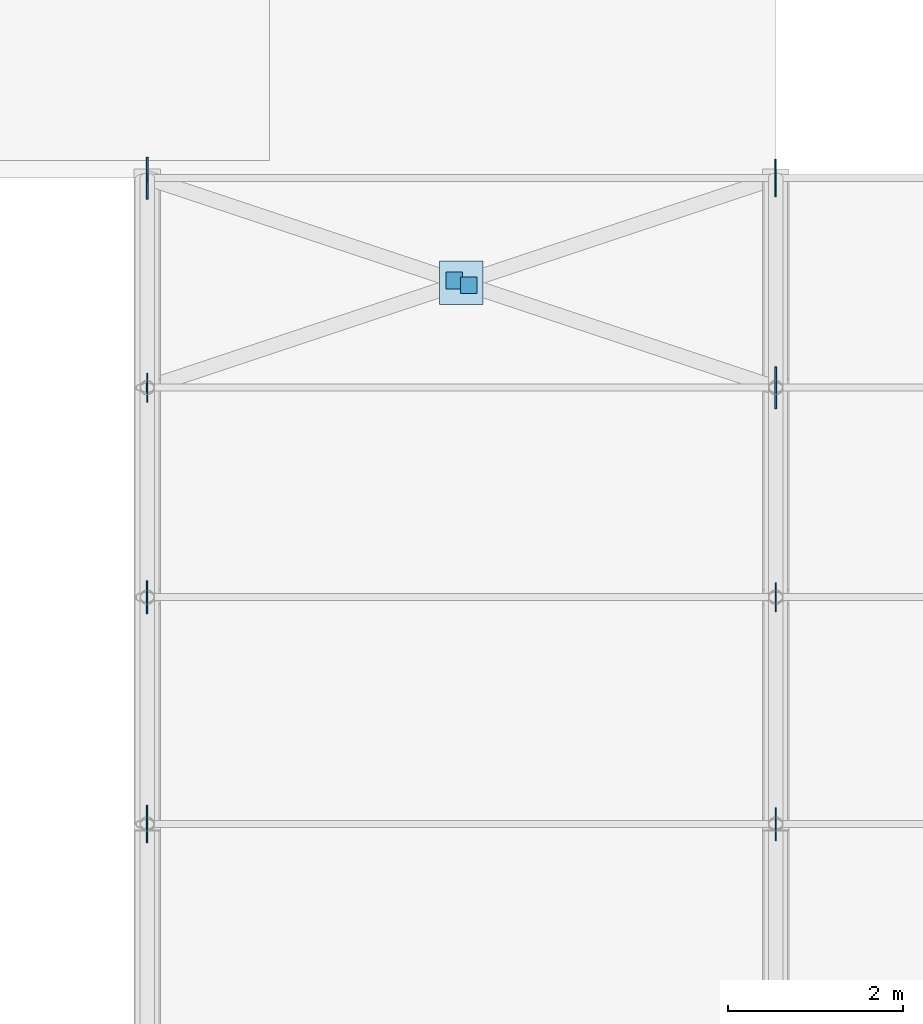
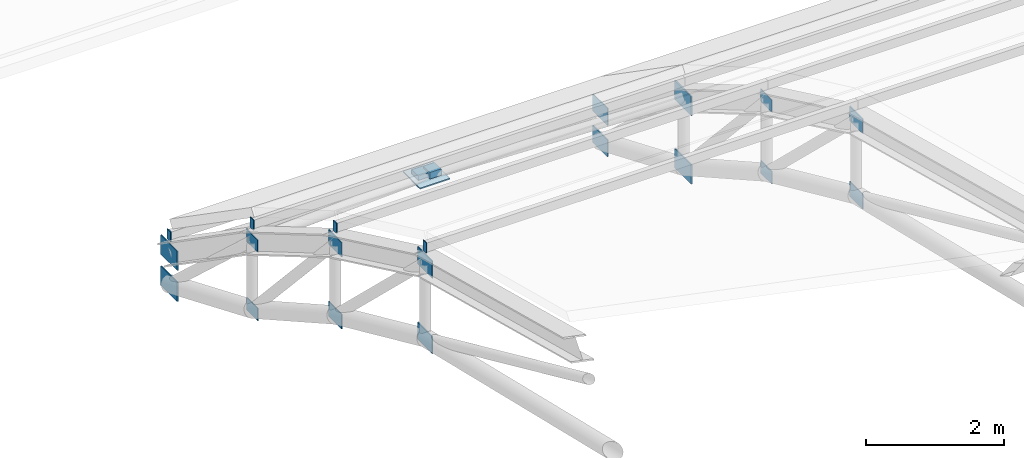
# One storey, part 54 of 63: 23 plates.
"""IFC4 building model written with IfcOpenShell, lengths in metres."""

from ifc_helpers import new_model, si_unit, direction, frame, origin, origin_2d, place, context, subcontext, project, spatial, rectangle, extrude, material, layer, layer_set, type_object, element, save


model = new_model("IFC4")

# Units and contexts
model_context = context("Model", 3, precision=1e-05, world=origin(), true_north=direction((0.0, 1.0)))
body_context = subcontext(model_context, "Body", "Model", "MODEL_VIEW")
ifc_project = project(units=[si_unit("LENGTHUNIT", "METRE"), si_unit("AREAUNIT", "SQUARE_METRE"), si_unit("VOLUMEUNIT", "CUBIC_METRE"), si_unit("PLANEANGLEUNIT", "RADIAN"), si_unit("MASSUNIT", "GRAM", prefix="KILO")], contexts=[model_context])

# Site, building, storey
site_placement = place(None, origin())
site = spatial("IfcSite", under=ifc_project, at=site_placement, CompositionType="ELEMENT")
building_placement = place(site_placement, origin())
building = spatial("IfcBuilding", under=site, at=building_placement, Name="Solvadek Multi-Sports Hall", CompositionType="ELEMENT")
storey_placement = place(building_placement, frame((0.0, 0.0, 19.199951171875)))
storey = spatial("IfcBuildingStorey", under=building, at=storey_placement, Name="RF", CompositionType="ELEMENT", Elevation=19.199951171875)

# Plates
ifc_material = material(Name="Steel E350 (350 MPa)", Category="steel")
ifc_layer_1 = layer(ifc_material, 0.01611328125, Name="Steel E350 (350 MPa)")
ifc_layer_set_1 = layer_set([ifc_layer_1], Name="Steel E350 (350 MPa)")
plate_type_1 = type_object("IfcPlateType", Name="STR-PLT-CAP16", PredefinedType="USERDEFINED", material=ifc_layer_set_1)
for number, where, z_axis, x_axis, name in (
    (1, (21.595947265625, 70.60009765625, 0.25634765625), (0.0, 0.0, 1.0), (1.0, 0.0, 0.0), "V4 Purlin End Cap Plate #36"),
    (2, (21.595947265625, 73.199951171875, -0.97216796875), (0.0, 0.0, 1.0), (1.0, 0.0, 0.0), "V4 Purlin End Cap Plate #37"),
    (3, (21.595947265625, 75.60009765625, -2.37109375), (0.0, 0.0, 1.0), (1.0, 0.0, 0.0), "V4 Purlin End Cap Plate #38"),
    (4, (21.595947265625, 78.0, -4.03662109375), (0.0, 0.0, 1.0), (1.0, 0.0, 0.0), "V4 Purlin End Cap Plate #39"),
):
    element("IfcPlate", number, at=place(storey_placement, frame(where, z_axis=z_axis, x_axis=x_axis)), inside=storey, type_object=plate_type_1, Name=name, ObjectType="BASE_PLATE", PredefinedType="USERDEFINED", context=body_context, shape_type="SweptSolid", body=[
        extrude(rectangle(XDim=0.01611328125, YDim=0.10009765625, at=origin_2d()), origin(), (0.0, 0.0, 1.0), 0.179931640625),
    ])
for number, where, z_axis, x_axis, name in (
    (5, (25.118408203125, 76.8271484375, -3.541015625), (0.0, 0.0, 1.0), (1.0, 0.0, 0.0), "V4 Half-Brace End Cap #42"),
    (6, (25.281494140625, 76.772705078125, -3.50341796875), (0.0, 0.0, 1.0), (1.0, 0.0, 0.0), "V4 Half-Brace End Cap #43"),
):
    element("IfcPlate", number, at=place(storey_placement, frame(where, z_axis=z_axis, x_axis=x_axis)), inside=storey, type_object=plate_type_1, Name=name, ObjectType="BASE_PLATE", PredefinedType="USERDEFINED", context=body_context, shape_type="SweptSolid", body=[
        extrude(rectangle(XDim=0.18994140625, YDim=0.18994140625, at=origin_2d()), origin(), (0.0, 0.0, 1.0), 0.2099609375),
    ])
ifc_layer_2 = layer(ifc_material, 0.02001953125, Name="Steel E350 (350 MPa)")
ifc_layer_set_2 = layer_set([ifc_layer_2], Name="Steel E350 (350 MPa)")
plate_type_2 = type_object("IfcPlateType", Name="STR-PLT-GP20", PredefinedType="USERDEFINED", material=ifc_layer_set_2)
plate_placement = place(storey_placement, frame((25.199951171875, 76.800048828125, -3.42724609375), z_axis=(0.0, 0.0, 1.0), x_axis=(1.0, 0.0, 0.0)))
element("IfcPlate", 7, at=plate_placement, inside=storey, type_object=plate_type_2, Name="V4 Roof X-Brace Crossing Gusset #260", ObjectType="GUSSET_PLATE", PredefinedType="USERDEFINED", context=body_context, shape_type="SweptSolid", body=[
    extrude(rectangle(XDim=0.5, YDim=0.5, at=origin_2d()), origin(), (0.0, 0.0, 1.0), 0.02001953125),
])
ifc_layer_3 = layer(ifc_material, 0.013916015625, Name="Steel E350 (350 MPa)")
ifc_layer_set_3 = layer_set([ifc_layer_3], Name="Steel E350 (350 MPa)")
plate_type_3 = type_object("IfcPlateType", Name="STR-PLT-GUS330", PredefinedType="USERDEFINED", material=ifc_layer_set_3)
for number, where, z_axis, x_axis, name in (
    (8, (21.60009765625, 75.60009765625, -2.6943359375), (0.0, 0.0, 1.0), (0.0, 1.0, 0.0), "V4 Truss Top Gusset Plate #165"),
    (9, (21.60009765625, 75.60009765625, -3.90283203125), (0.0, 0.0, 1.0), (0.0, 1.0, 0.0), "V4 Truss Bottom Gusset Plate #166"),
    (10, (28.800048828125, 73.199951171875, -1.28515625), (0.0, 0.0, 1.0), (0.0, 1.0, 0.0), "V4 Truss Top Gusset Plate #181"),
    (11, (28.800048828125, 73.199951171875, -2.5517578125), (0.0, 0.0, 1.0), (0.0, 1.0, 0.0), "V4 Truss Bottom Gusset Plate #182"),
):
    element("IfcPlate", number, at=place(storey_placement, frame(where, z_axis=z_axis, x_axis=x_axis)), inside=storey, type_object=plate_type_3, Name=name, ObjectType="GUSSET_PLATE", PredefinedType="USERDEFINED", context=body_context, shape_type="SweptSolid", body=[
        extrude(rectangle(XDim=0.330078125, YDim=0.013916015625, at=origin_2d()), origin(), (0.0, 0.0, 1.0), 0.219970703125),
    ])
ifc_layer_4 = layer(ifc_material, 0.01611328125, Name="Steel E350 (350 MPa)")
ifc_layer_set_4 = layer_set([ifc_layer_4], Name="Steel E350 (350 MPa)")
plate_type_4 = type_object("IfcPlateType", Name="STR-PLT-GUS380", PredefinedType="USERDEFINED", material=ifc_layer_set_4)
for number, where, z_axis, x_axis, name in (
    (12, (21.60009765625, 73.199951171875, -1.30517578125), (0.0, 0.0, 1.0), (0.0, 1.0, 0.0), "V4 Truss Top Gusset Plate #163"),
    (13, (21.60009765625, 73.199951171875, -2.57177734375), (0.0, 0.0, 1.0), (0.0, 1.0, 0.0), "V4 Truss Bottom Gusset Plate #164"),
    (14, (28.800048828125, 70.60009765625, -0.0673828125), (0.0, 0.0, 1.0), (0.0, 1.0, 0.0), "V4 Truss Top Gusset Plate #179"),
    (15, (28.800048828125, 70.60009765625, -1.39697265625), (0.0, 0.0, 1.0), (0.0, 1.0, 0.0), "V4 Truss Bottom Gusset Plate #180"),
):
    element("IfcPlate", number, at=place(storey_placement, frame(where, z_axis=z_axis, x_axis=x_axis)), inside=storey, type_object=plate_type_4, Name=name, ObjectType="GUSSET_PLATE", PredefinedType="USERDEFINED", context=body_context, shape_type="SweptSolid", body=[
        extrude(rectangle(XDim=0.3798828125, YDim=0.01611328125, at=origin_2d()), origin(), (0.0, 0.0, 1.0), 0.260009765625),
    ])
ifc_layer_5 = layer(ifc_material, 0.01806640625, Name="Steel E350 (350 MPa)")
ifc_layer_set_5 = layer_set([ifc_layer_5], Name="Steel E350 (350 MPa)")
plate_type_5 = type_object("IfcPlateType", Name="STR-PLT-GUS430", PredefinedType="USERDEFINED", material=ifc_layer_set_5)
for number, where, z_axis, x_axis, name in (
    (16, (21.60009765625, 70.60009765625, -0.08740234375), (0.0, 0.0, 1.0), (0.0, 1.0, 0.0), "V4 Truss Top Gusset Plate #161"),
    (17, (21.60009765625, 70.60009765625, -1.4169921875), (0.0, 0.0, 1.0), (0.0, 1.0, 0.0), "V4 Truss Bottom Gusset Plate #162"),
    (18, (28.800048828125, 78.0, -4.39990234375), (0.0, 0.0, 1.0), (0.0, 1.0, 0.0), "V4 Truss Top Gusset Plate #185"),
    (19, (28.800048828125, 78.0, -4.9501953125), (0.0, 0.0, 1.0), (0.0, 1.0, 0.0), "V4 Truss Bottom Gusset Plate #186"),
):
    element("IfcPlate", number, at=place(storey_placement, frame(where, z_axis=z_axis, x_axis=x_axis)), inside=storey, type_object=plate_type_5, Name=name, ObjectType="GUSSET_PLATE", PredefinedType="USERDEFINED", context=body_context, shape_type="SweptSolid", body=[
        extrude(rectangle(XDim=0.429931640625, YDim=0.01806640625, at=origin_2d()), origin(), (0.0, 0.0, 1.0), 0.300048828125),
    ])
ifc_layer_6 = layer(ifc_material, 0.02001953125, Name="Steel E350 (350 MPa)")
ifc_layer_set_6 = layer_set([ifc_layer_6], Name="Steel E350 (350 MPa)")
plate_type_6 = type_object("IfcPlateType", Name="STR-PLT-GUS480", PredefinedType="USERDEFINED", material=ifc_layer_set_6)
for number, where, z_axis, x_axis, name in (
    (20, (21.60009765625, 78.0, -4.419921875), (0.0, 0.0, 1.0), (0.0, 1.0, 0.0), "V4 Truss Top Gusset Plate #167"),
    (21, (21.60009765625, 78.0, -4.97021484375), (0.0, 0.0, 1.0), (0.0, 1.0, 0.0), "V4 Truss Bottom Gusset Plate #168"),
    (22, (28.800048828125, 75.60009765625, -2.75439453125), (0.0, 0.0, 1.0), (0.0, 1.0, 0.0), "V4 Truss Top Gusset Plate #183"),
    (23, (28.800048828125, 75.60009765625, -3.962890625), (0.0, 0.0, 1.0), (0.0, 1.0, 0.0), "V4 Truss Bottom Gusset Plate #184"),
):
    element("IfcPlate", number, at=place(storey_placement, frame(where, z_axis=z_axis, x_axis=x_axis)), inside=storey, type_object=plate_type_6, Name=name, ObjectType="GUSSET_PLATE", PredefinedType="USERDEFINED", context=body_context, shape_type="SweptSolid", body=[
        extrude(rectangle(XDim=0.47998046875, YDim=0.02001953125, at=origin_2d()), origin(), (0.0, 0.0, 1.0), 0.340087890625),
    ])

save(model, "model.ifc")
